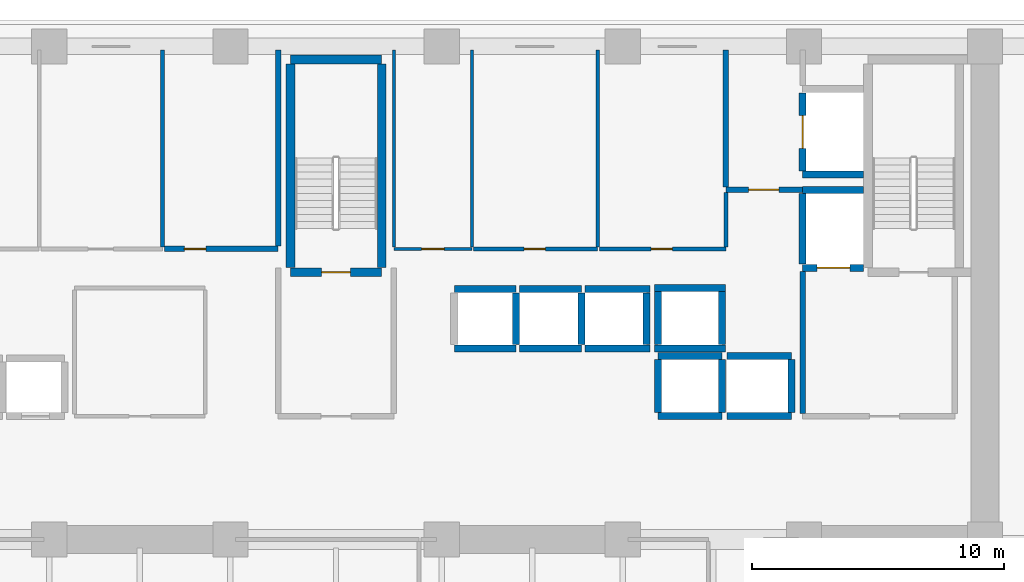
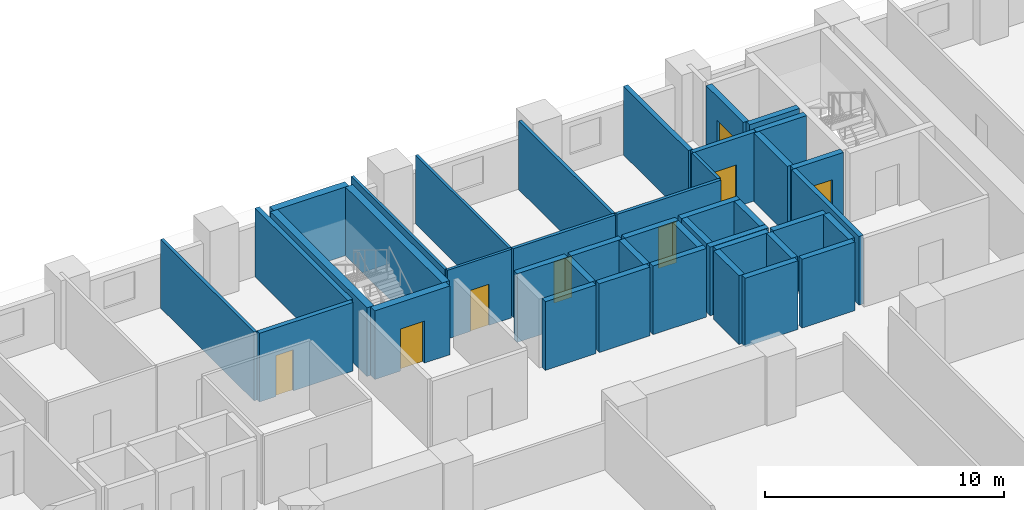
# One storey, part 8 of 15: 42 walls, 8 doors, 8 openings.
"""IFC4 building model written with IfcOpenShell, lengths in metres."""

from ifc_helpers import new_model, si_unit, direction, frame, frame_2d, origin, place, context, subcontext, project, spatial, rectangle, extrude, material, layer, layer_set, type_object, element, fill, save


model = new_model("IFC4")

# Units and contexts
model_context = context("Model", 3, precision=1e-05, world=origin(), true_north=direction((0.0, 1.0)))
body_context = subcontext(model_context, "Body", "Model", "MODEL_VIEW")
ifc_project = project(units=[si_unit("LENGTHUNIT", "METRE"), si_unit("AREAUNIT", "SQUARE_METRE"), si_unit("VOLUMEUNIT", "CUBIC_METRE"), si_unit("PLANEANGLEUNIT", "RADIAN"), si_unit("MASSUNIT", "GRAM", prefix="KILO")], contexts=[model_context])

# Site, building, storey
site_placement = place(None, origin())
site = spatial("IfcSite", under=ifc_project, at=site_placement, CompositionType="ELEMENT")
building_placement = place(site_placement, origin())
building = spatial("IfcBuilding", under=site, at=building_placement, Name="Kaelvorn Grand Hotel", CompositionType="ELEMENT")
storey_placement = place(building_placement, frame((0.0, 0.0, 68.89990234375)))
storey = spatial("IfcBuildingStorey", under=building, at=storey_placement, Name="L15", CompositionType="ELEMENT", Elevation=68.89990234375)

# Wall, opening, door
ifc_material_1 = material(Name="Moisture-Resistant Tile & Stud Board")
ifc_layer_1 = layer(ifc_material_1, 0.125)
ifc_layer_set_1 = layer_set([ifc_layer_1], Name="Moisture-Resistant Tile & Stud Board")
wall_type_1 = type_object("IfcWallType", Name="WL-PART-125-WET", PredefinedType="PARTITIONING", material=ifc_layer_set_1)
wall_1_placement = place(storey_placement, frame((44.300048828125, 40.949951171875, 0.0), z_axis=(0.0, 0.0, 1.0), x_axis=(1.0, 0.0, 0.0)))
wall_1 = element("IfcWall", 1, at=wall_1_placement, inside=storey, type_object=wall_type_1, Name="L15 Accessible WC S Partition", PredefinedType="PARTITIONING", context=body_context, shape_type="SweptSolid", body=[
    extrude(rectangle(XDim=3.099853515625, YDim=0.125, at=frame_2d((1.5498046875, 0.0))), origin(), (0.0, 0.0, 1.0), 3.510009765625),
])
opening_1_placement = place(wall_1_placement, frame((1.10009765625, 0.0, 0.0)))
opening_1 = element("IfcOpeningElement", 2, at=opening_1_placement, cuts=wall_1, Name="Opening DI4", PredefinedType="OPENING", context=body_context, shape_type="SweptSolid", body=[
    extrude(rectangle(XDim=0.89990234375, YDim=2.10009765625, at=frame_2d((0.449951171875, 1.050048828125))), frame((0.0, 0.072509765625, 0.0), z_axis=(0.0, -1.0, 0.0), x_axis=(1.0, 0.0, 0.0)), (0.0, 0.0, 1.0), 0.14501953125),
])
ifc_material_2 = material(Name="Timber Veneer Leaf", Category="wood")
door_type_1 = type_object("IfcDoorType", Name="DR-INT-BATH-900x2100", OperationType="NOTDEFINED", PredefinedType="DOOR", material=ifc_material_2)
door_1_placement = place(opening_1_placement, origin())
door_1 = element("IfcDoor", 3, at=door_1_placement, inside=storey, type_object=door_type_1, Name="L15 Accessible WC Door", OperationType="SINGLE_SWING_LEFT", OverallHeight=2.10009765625, OverallWidth=0.89990234375, PredefinedType="DOOR", context=body_context, shape_type="SweptSolid", body=[
    extrude(rectangle(XDim=0.89990234375, YDim=2.10009765625, at=frame_2d((0.449951171875, 1.050048828125))), frame((0.0, 0.02490234375, 0.0), z_axis=(0.0, -1.0, 0.0), x_axis=(1.0, 0.0, 0.0)), (0.0, 0.0, 1.0), 0.050048828125),
])
fill(opening_1, door_1)

# Walls
for number, where, z_axis, x_axis, name in (
    (4, (44.300048828125, 41.017578125, 0.0), (0.0, 0.0, 1.0), (0.0, 1.0, 0.0), "L15 Accessible WC W Partition"),
    (5, (47.39990234375, 41.017578125, 0.0), (0.0, 0.0, 1.0), (0.0, 1.0, 0.0), "L15 Accessible WC E Partition"),
):
    element("IfcWall", number, at=place(storey_placement, frame(where, z_axis=z_axis, x_axis=x_axis)), inside=storey, type_object=wall_type_1, Name=name, PredefinedType="PARTITIONING", context=body_context, shape_type="SweptSolid", body=[
        extrude(rectangle(XDim=7.83251953125, YDim=0.125, at=frame_2d((3.916259765625, 0.0))), origin(), (0.0, 0.0, 1.0), 3.510009765625),
    ])
ifc_material_3 = material(Name="Acoustic Gypsum & Stud Partition")
ifc_layer_2 = layer(ifc_material_3, 0.14990234375)
ifc_layer_set_2 = layer_set([ifc_layer_2], Name="Acoustic Gypsum & Stud Partition")
wall_type_2 = type_object("IfcWallType", Name="WL-PART-150-EI60", PredefinedType="PARTITIONING", material=ifc_layer_set_2)
wall_2_placement = place(storey_placement, frame((35.10009765625, 41.030029296875, 0.0), z_axis=(0.0, 0.0, 1.0), x_axis=(0.0, 1.0, 0.0)))
element("IfcWall", 6, at=wall_2_placement, inside=storey, type_object=wall_type_2, Name="L15 Room Service Servery Pantry E Partition", PredefinedType="PARTITIONING", context=body_context, shape_type="SweptSolid", body=[
    extrude(rectangle(XDim=7.820068359375, YDim=0.14990234375, at=frame_2d((3.91015625, 0.0))), origin(), (0.0, 0.0, 1.0), 3.510009765625),
])

# Wall, opening, door
wall_3_placement = place(storey_placement, frame((47.467529296875, 40.949951171875, 0.0), z_axis=(0.0, 0.0, 1.0), x_axis=(1.0, 0.0, 0.0)))
wall_3 = element("IfcWall", 7, at=wall_3_placement, inside=storey, type_object=wall_type_2, Name="L15 Valet & Luggage Store S Partition", PredefinedType="PARTITIONING", context=body_context, shape_type="SweptSolid", body=[
    extrude(rectangle(XDim=4.932373046875, YDim=0.14990234375, at=frame_2d((2.46630859375, 0.0))), origin(), (0.0, 0.0, 1.0), 3.510009765625),
])
opening_2_placement = place(wall_3_placement, frame((2.007568359375, 0.0, 0.0)))
opening_2 = element("IfcOpeningElement", 8, at=opening_2_placement, cuts=wall_3, Name="Opening DI7", PredefinedType="OPENING", context=body_context, shape_type="SweptSolid", body=[
    extrude(rectangle(XDim=0.85009765625, YDim=2.10009765625, at=frame_2d((0.425048828125, 1.050048828125))), frame((0.0, 0.0849609375, 0.0), z_axis=(0.0, -1.0, 0.0), x_axis=(1.0, 0.0, 0.0)), (0.0, 0.0, 1.0), 0.169921875),
])
ifc_material_4 = material(Name="Powder-Coated Steel Leaf", Category="steel")
door_type_2 = type_object("IfcDoorType", Name="DR-INT-RISER-850x2100", OperationType="NOTDEFINED", PredefinedType="DOOR", material=ifc_material_4)
door_2_placement = place(opening_2_placement, origin())
door_2 = element("IfcDoor", 9, at=door_2_placement, inside=storey, type_object=door_type_2, Name="L15 Valet & Luggage Store Door", OperationType="SINGLE_SWING_RIGHT", OverallHeight=2.10009765625, OverallWidth=0.85009765625, PredefinedType="DOOR", context=body_context, shape_type="SweptSolid", body=[
    extrude(rectangle(XDim=0.85009765625, YDim=2.10009765625, at=frame_2d((0.425048828125, 1.050048828125))), frame((0.0, 0.02490234375, 0.0), z_axis=(0.0, -1.0, 0.0), x_axis=(1.0, 0.0, 0.0)), (0.0, 0.0, 1.0), 0.050048828125),
])
fill(opening_2, door_2)

# Wall
wall_4_placement = place(storey_placement, frame((52.39990234375, 41.030029296875, 0.0), z_axis=(0.0, 0.0, 1.0), x_axis=(0.0, 1.0, 0.0)))
element("IfcWall", 10, at=wall_4_placement, inside=storey, type_object=wall_type_2, Name="L15 Valet & Luggage Store E Partition", PredefinedType="PARTITIONING", context=body_context, shape_type="SweptSolid", body=[
    extrude(rectangle(XDim=7.820068359375, YDim=0.14990234375, at=frame_2d((3.91015625, 0.0))), origin(), (0.0, 0.0, 1.0), 3.510009765625),
])

# Wall, opening, door
wall_5_placement = place(storey_placement, frame((52.47998046875, 40.949951171875, 0.0), z_axis=(0.0, 0.0, 1.0), x_axis=(1.0, 0.0, 0.0)))
wall_5 = element("IfcWall", 11, at=wall_5_placement, inside=storey, type_object=wall_type_2, Name="L15 Clean Utility & Amenity Store S Partition", PredefinedType="PARTITIONING", context=body_context, shape_type="SweptSolid", body=[
    extrude(rectangle(XDim=5.02001953125, YDim=0.14990234375, at=frame_2d((2.510009765625, 0.0))), origin(), (0.0, 0.0, 1.0), 3.510009765625),
])
opening_3_placement = place(wall_5_placement, frame((2.044921875, 0.0, 0.0)))
opening_3 = element("IfcOpeningElement", 12, at=opening_3_placement, cuts=wall_5, Name="Opening DI7", PredefinedType="OPENING", context=body_context, shape_type="SweptSolid", body=[
    extrude(rectangle(XDim=0.85009765625, YDim=2.10009765625, at=frame_2d((0.425048828125, 1.050048828125))), frame((0.0, 0.0849609375, 0.0), z_axis=(0.0, -1.0, 0.0), x_axis=(1.0, 0.0, 0.0)), (0.0, 0.0, 1.0), 0.169921875),
])
door_3_placement = place(opening_3_placement, origin())
door_3 = element("IfcDoor", 13, at=door_3_placement, inside=storey, type_object=door_type_2, Name="L15 Clean Utility & Amenity Store Door", OperationType="SINGLE_SWING_LEFT", OverallHeight=2.10009765625, OverallWidth=0.85009765625, PredefinedType="DOOR", context=body_context, shape_type="SweptSolid", body=[
    extrude(rectangle(XDim=0.85009765625, YDim=2.10009765625, at=frame_2d((0.425048828125, 1.050048828125))), frame((0.0, 0.02490234375, 0.0), z_axis=(0.0, -1.0, 0.0), x_axis=(1.0, 0.0, 0.0)), (0.0, 0.0, 1.0), 0.050048828125),
])
fill(opening_3, door_3)

# Walls
wall_6_placement = place(storey_placement, frame((57.5, 41.030029296875, 0.0), z_axis=(0.0, 0.0, 1.0), x_axis=(0.0, 1.0, 0.0)))
element("IfcWall", 14, at=wall_6_placement, inside=storey, type_object=wall_type_2, Name="L15 Clean Utility & Amenity Store E Partition", PredefinedType="PARTITIONING", context=body_context, shape_type="SweptSolid", body=[
    extrude(rectangle(XDim=2.155029296875, YDim=0.14990234375, at=frame_2d((1.07763671875, 0.0))), origin(), (0.0, 0.0, 1.0), 3.510009765625),
])
ifc_material_5 = material(Name="Concrete C40/50", Category="concrete")
ifc_layer_3 = layer(ifc_material_5, 0.219970703125)
ifc_layer_set_3 = layer_set([ifc_layer_3], Name="Concrete C40/50")
wall_type_3 = type_object("IfcWallType", Name="WL-PART-220-EI120", PredefinedType="PARTITIONING", material=ifc_layer_set_3)
wall_7_placement = place(storey_placement, frame((60.550048828125, 34.4150390625, 0.0), z_axis=(0.0, 0.0, 1.0), x_axis=(0.0, 1.0, 0.0)))
element("IfcWall", 15, at=wall_7_placement, inside=storey, type_object=wall_type_3, Name="L15 Firefighting Lift Lobby 2 W Partition", PredefinedType="PARTITIONING", context=body_context, shape_type="SweptSolid", body=[
    extrude(rectangle(XDim=5.639892578125, YDim=0.219970703125, at=frame_2d((2.81982421875, 0.0))), origin(), (0.0, 0.0, 1.0), 3.510009765625),
])

# Wall, opening, door
wall_8_placement = place(storey_placement, frame((57.5, 43.300048828125, 0.0), z_axis=(0.0, 0.0, 1.0), x_axis=(1.0, 0.0, 0.0)))
wall_8 = element("IfcWall", 16, at=wall_8_placement, inside=storey, type_object=wall_type_3, Name="L15 Service Lift Lobby S Partition", PredefinedType="PARTITIONING", context=body_context, shape_type="SweptSolid", body=[
    extrude(rectangle(XDim=3.0400390625, YDim=0.219970703125, at=frame_2d((1.52001953125, 0.0))), origin(), (0.0, 0.0, 1.0), 3.510009765625),
])
opening_4_placement = place(wall_8_placement, frame((0.89990234375, 0.0, 0.0)))
opening_4 = element("IfcOpeningElement", 17, at=opening_4_placement, cuts=wall_8, Name="Opening DI2", PredefinedType="OPENING", context=body_context, shape_type="SweptSolid", body=[
    extrude(rectangle(XDim=1.199951171875, YDim=2.14990234375, at=frame_2d((0.60009765625, 1.074951171875))), frame((0.0, 0.1201171875, 0.0), z_axis=(0.0, -1.0, 0.0), x_axis=(1.0, 0.0, 0.0)), (0.0, 0.0, 1.0), 0.239990234375),
])
ifc_material_6 = material(Name="Timber Veneer Fire Leaf", Category="wood")
door_type_3 = type_object("IfcDoorType", Name="DR-INT-FFLOB-1200x2150", OperationType="NOTDEFINED", PredefinedType="DOOR", material=ifc_material_6)
door_4_placement = place(opening_4_placement, origin())
door_4 = element("IfcDoor", 18, at=door_4_placement, inside=storey, type_object=door_type_3, Name="L15 Service Lift Lobby Door", OperationType="SINGLE_SWING_RIGHT", OverallHeight=2.14990234375, OverallWidth=1.199951171875, PredefinedType="DOOR", context=body_context, shape_type="SweptSolid", body=[
    extrude(rectangle(XDim=1.199951171875, YDim=2.14990234375, at=frame_2d((0.60009765625, 1.074951171875))), frame((0.0, 0.02490234375, 0.0), z_axis=(0.0, -1.0, 0.0), x_axis=(1.0, 0.0, 0.0)), (0.0, 0.0, 1.0), 0.050048828125),
])
fill(opening_4, door_4)

# Wall
wall_9_placement = place(storey_placement, frame((57.5, 43.4150390625, 0.0), z_axis=(0.0, 0.0, 1.0), x_axis=(0.0, 1.0, 0.0)))
element("IfcWall", 19, at=wall_9_placement, inside=storey, type_object=wall_type_3, Name="L15 Service Lift Lobby W Partition", PredefinedType="PARTITIONING", context=body_context, shape_type="SweptSolid", body=[
    extrude(rectangle(XDim=5.43505859375, YDim=0.219970703125, at=frame_2d((2.717529296875, 0.0))), origin(), (0.0, 0.0, 1.0), 3.510009765625),
])

# Wall, opening, door
wall_10_placement = place(storey_placement, frame((35.179931640625, 40.949951171875, 0.0), z_axis=(0.0, 0.0, 1.0), x_axis=(1.0, 0.0, 0.0)))
wall_10 = element("IfcWall", 20, at=wall_10_placement, inside=storey, type_object=wall_type_3, Name="L15 Floor Electrical Switchroom S Partition", PredefinedType="PARTITIONING", context=body_context, shape_type="SweptSolid", body=[
    extrude(rectangle(XDim=4.52001953125, YDim=0.219970703125, at=frame_2d((2.260009765625, 0.0))), origin(), (0.0, 0.0, 1.0), 3.510009765625),
])
opening_5_placement = place(wall_10_placement, frame((0.794921875, 0.0, 0.0)))
opening_5 = element("IfcOpeningElement", 21, at=opening_5_placement, cuts=wall_10, Name="Opening DI7", PredefinedType="OPENING", context=body_context, shape_type="SweptSolid", body=[
    extrude(rectangle(XDim=0.85009765625, YDim=2.10009765625, at=frame_2d((0.425048828125, 1.050048828125))), frame((0.0, 0.1201171875, 0.0), z_axis=(0.0, -1.0, 0.0), x_axis=(1.0, 0.0, 0.0)), (0.0, 0.0, 1.0), 0.239990234375),
])
door_5_placement = place(opening_5_placement, origin())
door_5 = element("IfcDoor", 22, at=door_5_placement, inside=storey, type_object=door_type_2, Name="L15 Floor Electrical Switchroom Door", OperationType="SINGLE_SWING_RIGHT", OverallHeight=2.10009765625, OverallWidth=0.85009765625, PredefinedType="DOOR", context=body_context, shape_type="SweptSolid", body=[
    extrude(rectangle(XDim=0.85009765625, YDim=2.10009765625, at=frame_2d((0.425048828125, 1.050048828125))), frame((0.0, 0.02490234375, 0.0), z_axis=(0.0, -1.0, 0.0), x_axis=(1.0, 0.0, 0.0)), (0.0, 0.0, 1.0), 0.050048828125),
])
fill(opening_5, door_5)

# Walls
wall_11_placement = place(storey_placement, frame((39.699951171875, 41.06494140625, 0.0), z_axis=(0.0, 0.0, 1.0), x_axis=(0.0, 1.0, 0.0)))
element("IfcWall", 23, at=wall_11_placement, inside=storey, type_object=wall_type_3, Name="L15 Floor Electrical Switchroom E Partition", PredefinedType="PARTITIONING", context=body_context, shape_type="SweptSolid", body=[
    extrude(rectangle(XDim=7.78515625, YDim=0.219970703125, at=frame_2d((3.892578125, 0.0))), origin(), (0.0, 0.0, 1.0), 3.510009765625),
])
ifc_material_7 = material(Name="Concrete C50/60", Category="concrete")
ifc_layer_4 = layer(ifc_material_7, 0.280029296875)
ifc_layer_set_4 = layer_set([ifc_layer_4], Name="Concrete C50/60")
wall_type_4 = type_object("IfcWallType", Name="WL-SHAFT-280-C50", PredefinedType="SHEAR", material=ifc_layer_set_4)
for number, where, z_axis, x_axis, name in (
    (24, (46.699951171875, 37.0, 0.0), (0.0, 0.0, 1.0), (1.0, 0.0, 0.0), "L15 Lift SL-1 Shaft South Wall"),
    (25, (46.699951171875, 39.35009765625, 0.0), (0.0, 0.0, 1.0), (1.0, 0.0, 0.0), "L15 Lift SL-1 Shaft North Wall"),
):
    element("IfcWall", number, at=place(storey_placement, frame(where, z_axis=z_axis, x_axis=x_axis)), inside=storey, type_object=wall_type_4, Name=name, PredefinedType="SHEAR", context=body_context, shape_type="SweptSolid", body=[
        extrude(rectangle(XDim=2.449951171875, YDim=0.280029296875, at=frame_2d((1.22509765625, 0.0))), origin(), (0.0, 0.0, 1.0), 3.510009765625),
    ])
wall_12_placement = place(storey_placement, frame((49.14990234375, 37.14501953125, 0.0), z_axis=(0.0, 0.0, 1.0), x_axis=(0.0, 1.0, 0.0)))
element("IfcWall", 26, at=wall_12_placement, inside=storey, type_object=wall_type_4, Name="L15 Lift SL-1 Shaft East Wall", PredefinedType="SHEAR", context=body_context, shape_type="SweptSolid", body=[
    extrude(rectangle(XDim=2.06005859375, YDim=0.280029296875, at=frame_2d((1.030029296875, 0.0))), origin(), (0.0, 0.0, 1.0), 3.510009765625),
])
for number, where, z_axis, x_axis, name in (
    (27, (49.300048828125, 37.0, 0.0), (0.0, 0.0, 1.0), (1.0, 0.0, 0.0), "L15 Lift SL-2 Shaft South Wall"),
    (28, (49.300048828125, 39.35009765625, 0.0), (0.0, 0.0, 1.0), (1.0, 0.0, 0.0), "L15 Lift SL-2 Shaft North Wall"),
):
    element("IfcWall", number, at=place(storey_placement, frame(where, z_axis=z_axis, x_axis=x_axis)), inside=storey, type_object=wall_type_4, Name=name, PredefinedType="SHEAR", context=body_context, shape_type="SweptSolid", body=[
        extrude(rectangle(XDim=2.449951171875, YDim=0.280029296875, at=frame_2d((1.22509765625, 0.0))), origin(), (0.0, 0.0, 1.0), 3.510009765625),
    ])
wall_13_placement = place(storey_placement, frame((51.75, 37.14501953125, 0.0), z_axis=(0.0, 0.0, 1.0), x_axis=(0.0, 1.0, 0.0)))
element("IfcWall", 29, at=wall_13_placement, inside=storey, type_object=wall_type_4, Name="L15 Lift SL-2 Shaft East Wall", PredefinedType="SHEAR", context=body_context, shape_type="SweptSolid", body=[
    extrude(rectangle(XDim=2.06005859375, YDim=0.280029296875, at=frame_2d((1.030029296875, 0.0))), origin(), (0.0, 0.0, 1.0), 3.510009765625),
])
for number, where, z_axis, x_axis, name in (
    (30, (51.89990234375, 37.0, 0.0), (0.0, 0.0, 1.0), (1.0, 0.0, 0.0), "L15 Lift SL-3 Shaft South Wall"),
    (31, (51.89990234375, 39.35009765625, 0.0), (0.0, 0.0, 1.0), (1.0, 0.0, 0.0), "L15 Lift SL-3 Shaft North Wall"),
):
    element("IfcWall", number, at=place(storey_placement, frame(where, z_axis=z_axis, x_axis=x_axis)), inside=storey, type_object=wall_type_4, Name=name, PredefinedType="SHEAR", context=body_context, shape_type="SweptSolid", body=[
        extrude(rectangle(XDim=2.590087890625, YDim=0.280029296875, at=frame_2d((1.294921875, 0.0))), origin(), (0.0, 0.0, 1.0), 3.510009765625),
    ])
wall_14_placement = place(storey_placement, frame((54.35009765625, 37.14501953125, 0.0), z_axis=(0.0, 0.0, 1.0), x_axis=(0.0, 1.0, 0.0)))
element("IfcWall", 32, at=wall_14_placement, inside=storey, type_object=wall_type_4, Name="L15 Lift SL-3 Shaft East Wall", PredefinedType="SHEAR", context=body_context, shape_type="SweptSolid", body=[
    extrude(rectangle(XDim=2.06005859375, YDim=0.280029296875, at=frame_2d((1.030029296875, 0.0))), origin(), (0.0, 0.0, 1.0), 3.510009765625),
])
for number, where, z_axis, x_axis, name in (
    (33, (54.800048828125, 34.300048828125, 0.0), (0.0, 0.0, 1.0), (1.0, 0.0, 0.0), "L15 Lift OL-1 Shaft South Wall"),
    (34, (54.800048828125, 36.699951171875, 0.0), (0.0, 0.0, 1.0), (1.0, 0.0, 0.0), "L15 Lift OL-1 Shaft North Wall"),
):
    element("IfcWall", number, at=place(storey_placement, frame(where, z_axis=z_axis, x_axis=x_axis)), inside=storey, type_object=wall_type_4, Name=name, PredefinedType="SHEAR", context=body_context, shape_type="SweptSolid", body=[
        extrude(rectangle(XDim=2.550048828125, YDim=0.280029296875, at=frame_2d((1.27490234375, 0.0))), origin(), (0.0, 0.0, 1.0), 3.510009765625),
    ])
for number, where, z_axis, x_axis, name in (
    (35, (54.800048828125, 34.445068359375, 0.0), (0.0, 0.0, 1.0), (0.0, 1.0, 0.0), "L15 Lift OL-1 Shaft West Wall"),
    (36, (57.35009765625, 34.445068359375, 0.0), (0.0, 0.0, 1.0), (0.0, 1.0, 0.0), "L15 Lift OL-1 Shaft East Wall"),
):
    element("IfcWall", number, at=place(storey_placement, frame(where, z_axis=z_axis, x_axis=x_axis)), inside=storey, type_object=wall_type_4, Name=name, PredefinedType="SHEAR", context=body_context, shape_type="SweptSolid", body=[
        extrude(rectangle(XDim=2.10986328125, YDim=0.280029296875, at=frame_2d((1.054931640625, 0.0))), origin(), (0.0, 0.0, 1.0), 3.510009765625),
    ])
for number, where, z_axis, x_axis, name in (
    (37, (57.550048828125, 34.300048828125, 0.0), (0.0, 0.0, 1.0), (1.0, 0.0, 0.0), "L15 Lift OL-2 Shaft South Wall"),
    (38, (57.550048828125, 36.699951171875, 0.0), (0.0, 0.0, 1.0), (1.0, 0.0, 0.0), "L15 Lift OL-2 Shaft North Wall"),
):
    element("IfcWall", number, at=place(storey_placement, frame(where, z_axis=z_axis, x_axis=x_axis)), inside=storey, type_object=wall_type_4, Name=name, PredefinedType="SHEAR", context=body_context, shape_type="SweptSolid", body=[
        extrude(rectangle(XDim=2.550048828125, YDim=0.280029296875, at=frame_2d((1.27490234375, 0.0))), origin(), (0.0, 0.0, 1.0), 3.510009765625),
    ])
wall_15_placement = place(storey_placement, frame((60.10009765625, 34.445068359375, 0.0), z_axis=(0.0, 0.0, 1.0), x_axis=(0.0, 1.0, 0.0)))
element("IfcWall", 39, at=wall_15_placement, inside=storey, type_object=wall_type_4, Name="L15 Lift OL-2 Shaft East Wall", PredefinedType="SHEAR", context=body_context, shape_type="SweptSolid", body=[
    extrude(rectangle(XDim=2.10986328125, YDim=0.280029296875, at=frame_2d((1.054931640625, 0.0))), origin(), (0.0, 0.0, 1.0), 3.510009765625),
])
for number, where, z_axis, x_axis, name in (
    (40, (54.659912109375, 37.0, 0.0), (0.0, 0.0, 1.0), (1.0, 0.0, 0.0), "L15 Lift OL-3 Shaft South Wall"),
    (41, (54.659912109375, 39.39990234375, 0.0), (0.0, 0.0, 1.0), (1.0, 0.0, 0.0), "L15 Lift OL-3 Shaft North Wall"),
):
    element("IfcWall", number, at=place(storey_placement, frame(where, z_axis=z_axis, x_axis=x_axis)), inside=storey, type_object=wall_type_4, Name=name, PredefinedType="SHEAR", context=body_context, shape_type="SweptSolid", body=[
        extrude(rectangle(XDim=2.830078125, YDim=0.280029296875, at=frame_2d((1.4150390625, 0.0))), origin(), (0.0, 0.0, 1.0), 3.510009765625),
    ])
for number, where, z_axis, x_axis, name in (
    (42, (54.800048828125, 37.14501953125, 0.0), (0.0, 0.0, 1.0), (0.0, 1.0, 0.0), "L15 Lift OL-3 Shaft West Wall"),
    (43, (57.35009765625, 37.14501953125, 0.0), (0.0, 0.0, 1.0), (0.0, 1.0, 0.0), "L15 Lift OL-3 Shaft East Wall"),
):
    element("IfcWall", number, at=place(storey_placement, frame(where, z_axis=z_axis, x_axis=x_axis)), inside=storey, type_object=wall_type_4, Name=name, PredefinedType="SHEAR", context=body_context, shape_type="SweptSolid", body=[
        extrude(rectangle(XDim=2.10986328125, YDim=0.280029296875, at=frame_2d((1.054931640625, 0.0))), origin(), (0.0, 0.0, 1.0), 3.510009765625),
    ])

# Wall, opening, door
wall_16_placement = place(storey_placement, frame((60.550048828125, 40.199951171875, 0.0), z_axis=(0.0, 0.0, 1.0), x_axis=(1.0, 0.0, 0.0)))
wall_16 = element("IfcWall", 44, at=wall_16_placement, inside=storey, type_object=wall_type_4, Name="L15 Lift FFL2 Shaft South Wall", PredefinedType="SHEAR", context=body_context, shape_type="SweptSolid", body=[
    extrude(rectangle(XDim=2.4150390625, YDim=0.280029296875, at=frame_2d((1.20751953125, 0.0))), origin(), (0.0, 0.0, 1.0), 3.510009765625),
])
opening_6_placement = place(wall_16_placement, frame((0.574951171875, 0.0, 0.0)))
opening_6 = element("IfcOpeningElement", 45, at=opening_6_placement, cuts=wall_16, Name="Opening LD-FFL2", PredefinedType="OPENING", context=body_context, shape_type="SweptSolid", body=[
    extrude(rectangle(XDim=1.300048828125, YDim=2.300048828125, at=frame_2d((0.64990234375, 1.14990234375))), frame((0.0, 0.14990234375, 0.0), z_axis=(0.0, -1.0, 0.0), x_axis=(1.0, 0.0, 0.0)), (0.0, 0.0, 1.0), 0.300048828125),
])
ifc_material_8 = material(Name="Stainless Steel", Category="steel")
door_type_4 = type_object("IfcDoorType", Name="DR-LIFT-SERV-1300x2300", OperationType="DOUBLE_DOOR_SLIDING", PredefinedType="DOOR", material=ifc_material_8)
door_6_placement = place(opening_6_placement, origin())
door_6 = element("IfcDoor", 46, at=door_6_placement, inside=storey, type_object=door_type_4, Name="L15 Lift FFL2 Sliding Landing Door LD-FFL2", OperationType="DOUBLE_DOOR_SLIDING", OverallHeight=2.300048828125, OverallWidth=1.300048828125, PredefinedType="DOOR", context=body_context, shape_type="SweptSolid", body=[
    extrude(rectangle(XDim=1.300048828125, YDim=2.300048828125, at=frame_2d((0.64990234375, 1.14990234375))), frame((0.0, 0.02490234375, 0.0), z_axis=(0.0, -1.0, 0.0), x_axis=(1.0, 0.0, 0.0)), (0.0, 0.0, 1.0), 0.050048828125),
])
fill(opening_6, door_6)

# Walls
wall_17_placement = place(storey_placement, frame((60.550048828125, 43.300048828125, 0.0), z_axis=(0.0, 0.0, 1.0), x_axis=(1.0, 0.0, 0.0)))
element("IfcWall", 47, at=wall_17_placement, inside=storey, type_object=wall_type_4, Name="L15 Lift FFL2 Shaft North Wall", PredefinedType="SHEAR", context=body_context, shape_type="SweptSolid", body=[
    extrude(rectangle(XDim=2.4150390625, YDim=0.280029296875, at=frame_2d((1.20751953125, 0.0))), origin(), (0.0, 0.0, 1.0), 3.510009765625),
])
wall_18_placement = place(storey_placement, frame((60.550048828125, 40.344970703125, 0.0), z_axis=(0.0, 0.0, 1.0), x_axis=(0.0, 1.0, 0.0)))
element("IfcWall", 48, at=wall_18_placement, inside=storey, type_object=wall_type_4, Name="L15 Lift FFL2 Shaft West Wall", PredefinedType="SHEAR", context=body_context, shape_type="SweptSolid", body=[
    extrude(rectangle(XDim=2.81005859375, YDim=0.280029296875, at=frame_2d((1.405029296875, 0.0))), origin(), (0.0, 0.0, 1.0), 3.510009765625),
])
wall_19_placement = place(storey_placement, frame((60.550048828125, 43.89990234375, 0.0), z_axis=(0.0, 0.0, 1.0), x_axis=(1.0, 0.0, 0.0)))
element("IfcWall", 49, at=wall_19_placement, inside=storey, type_object=wall_type_4, Name="L15 Lift SV1 Shaft South Wall", PredefinedType="SHEAR", context=body_context, shape_type="SweptSolid", body=[
    extrude(rectangle(XDim=2.4150390625, YDim=0.280029296875, at=frame_2d((1.20751953125, 0.0))), origin(), (0.0, 0.0, 1.0), 3.510009765625),
])

# Wall, opening, door
wall_20_placement = place(storey_placement, frame((60.550048828125, 44.044921875, 0.0), z_axis=(0.0, 0.0, 1.0), x_axis=(0.0, 1.0, 0.0)))
wall_20 = element("IfcWall", 50, at=wall_20_placement, inside=storey, type_object=wall_type_4, Name="L15 Lift SV1 Shaft West Wall", PredefinedType="SHEAR", context=body_context, shape_type="SweptSolid", body=[
    extrude(rectangle(XDim=3.110107421875, YDim=0.280029296875, at=frame_2d((1.55517578125, 0.0))), origin(), (0.0, 0.0, 1.0), 3.510009765625),
])
opening_7_placement = place(wall_20_placement, frame((0.905029296875, 0.0, 0.0)))
opening_7 = element("IfcOpeningElement", 51, at=opening_7_placement, cuts=wall_20, Name="Opening LD-SV1", PredefinedType="OPENING", context=body_context, shape_type="SweptSolid", body=[
    extrude(rectangle(XDim=1.300048828125, YDim=2.300048828125, at=frame_2d((0.64990234375, 1.14990234375))), frame((0.0, 0.14990234375, 0.0), z_axis=(0.0, -1.0, 0.0), x_axis=(1.0, 0.0, 0.0)), (0.0, 0.0, 1.0), 0.300048828125),
])
door_7_placement = place(opening_7_placement, origin())
door_7 = element("IfcDoor", 52, at=door_7_placement, inside=storey, type_object=door_type_4, Name="L15 Lift SV1 Sliding Landing Door LD-SV1", OperationType="DOUBLE_DOOR_SLIDING", OverallHeight=2.300048828125, OverallWidth=1.300048828125, PredefinedType="DOOR", context=body_context, shape_type="SweptSolid", body=[
    extrude(rectangle(XDim=1.300048828125, YDim=2.300048828125, at=frame_2d((0.64990234375, 1.14990234375))), frame((0.0, 0.02490234375, 0.0), z_axis=(0.0, -1.0, 0.0), x_axis=(1.0, 0.0, 0.0)), (0.0, 0.0, 1.0), 0.050048828125),
])
fill(opening_7, door_7)

ifc_material_9 = material(Name="Concrete C60/75", Category="concrete")
ifc_layer_5 = layer(ifc_material_9, 0.35009765625)
ifc_layer_set_5 = layer_set([ifc_layer_5], Name="Concrete C60/75")
wall_type_5 = type_object("IfcWallType", Name="WL-SHAFT-350-C60", PredefinedType="SHEAR", material=ifc_layer_set_5)
wall_21_placement = place(storey_placement, frame((40.18505859375, 40.02490234375, 0.0), z_axis=(0.0, 0.0, 1.0), x_axis=(1.0, 0.0, 0.0)))
wall_21 = element("IfcWall", 53, at=wall_21_placement, inside=storey, type_object=wall_type_5, Name="L15 ST2 Stair Shaft South Wall", PredefinedType="SHEAR", context=body_context, shape_type="SweptSolid", body=[
    extrude(rectangle(XDim=3.6298828125, YDim=0.35009765625, at=frame_2d((1.81494140625, 0.0))), origin(), (0.0, 0.0, 1.0), 3.510009765625),
])
opening_8_placement = place(wall_21_placement, frame((1.239990234375, 0.0, 0.0)))
opening_8 = element("IfcOpeningElement", 54, at=opening_8_placement, cuts=wall_21, Name="Opening DI1", PredefinedType="OPENING", context=body_context, shape_type="SweptSolid", body=[
    extrude(rectangle(XDim=1.14990234375, YDim=2.14990234375, at=frame_2d((0.574951171875, 1.074951171875))), frame((0.0, 0.18505859375, 0.0), z_axis=(0.0, -1.0, 0.0), x_axis=(1.0, 0.0, 0.0)), (0.0, 0.0, 1.0), 0.3701171875),
])
door_type_5 = type_object("IfcDoorType", Name="DR-INT-STAIR-1150x2150", OperationType="NOTDEFINED", PredefinedType="DOOR", material=ifc_material_6)
door_8_placement = place(opening_8_placement, origin())
door_8 = element("IfcDoor", 55, at=door_8_placement, inside=storey, type_object=door_type_5, Name="L15 ST2 Exit Stair Fire Door", OperationType="SINGLE_SWING_LEFT", OverallHeight=2.14990234375, OverallWidth=1.14990234375, PredefinedType="DOOR", context=body_context, shape_type="SweptSolid", body=[
    extrude(rectangle(XDim=1.14990234375, YDim=2.14990234375, at=frame_2d((0.574951171875, 1.074951171875))), frame((0.0, 0.02490234375, 0.0), z_axis=(0.0, -1.0, 0.0), x_axis=(1.0, 0.0, 0.0)), (0.0, 0.0, 1.0), 0.050048828125),
])
fill(opening_8, door_8)

# Walls
wall_22_placement = place(storey_placement, frame((40.18505859375, 48.47509765625, 0.0), z_axis=(0.0, 0.0, 1.0), x_axis=(1.0, 0.0, 0.0)))
element("IfcWall", 56, at=wall_22_placement, inside=storey, type_object=wall_type_5, Name="L15 ST2 Stair Shaft North Wall", PredefinedType="SHEAR", context=body_context, shape_type="SweptSolid", body=[
    extrude(rectangle(XDim=3.6298828125, YDim=0.35009765625, at=frame_2d((1.81494140625, 0.0))), origin(), (0.0, 0.0, 1.0), 3.510009765625),
])
for number, where, z_axis, x_axis, name in (
    (57, (40.18505859375, 40.205078125, 0.0), (0.0, 0.0, 1.0), (0.0, 1.0, 0.0), "L15 ST2 Stair Shaft West Wall"),
    (58, (43.81494140625, 40.205078125, 0.0), (0.0, 0.0, 1.0), (0.0, 1.0, 0.0), "L15 ST2 Stair Shaft East Wall"),
):
    element("IfcWall", number, at=place(storey_placement, frame(where, z_axis=z_axis, x_axis=x_axis)), inside=storey, type_object=wall_type_5, Name=name, PredefinedType="SHEAR", context=body_context, shape_type="SweptSolid", body=[
        extrude(rectangle(XDim=8.08984375, YDim=0.35009765625, at=frame_2d((4.044921875, 0.0))), origin(), (0.0, 0.0, 1.0), 3.510009765625),
    ])

save(model, "model.ifc")
